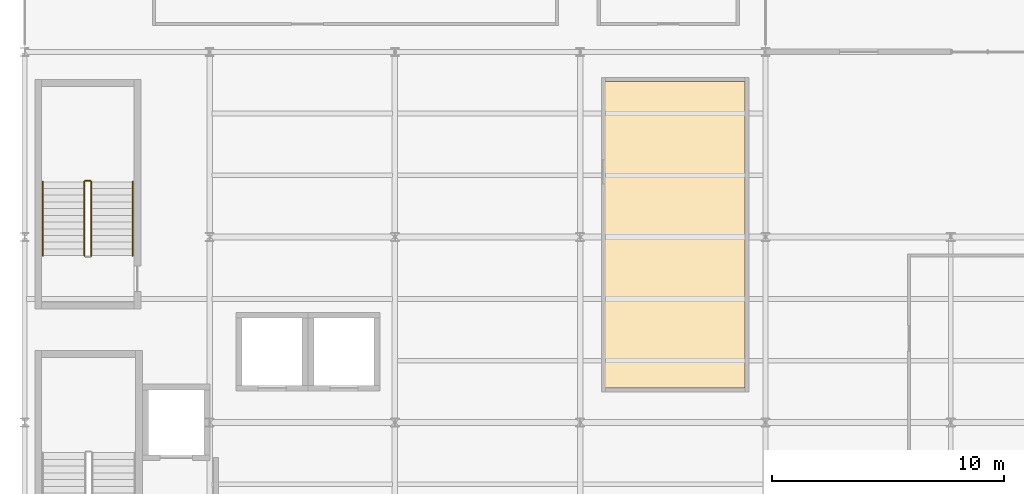
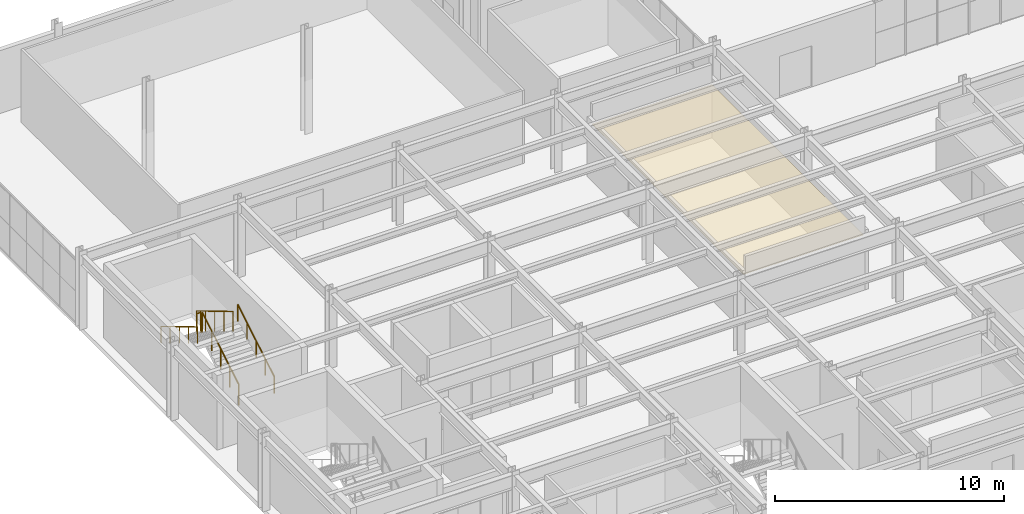
# One storey, part 65 of 67: 5 railings, 1 covering.
"""IFC4 building model written with IfcOpenShell, lengths in metres."""

from ifc_helpers import new_model, si_unit, direction, frame, origin, origin_2d, place, context, subcontext, project, spatial, polyline, circle, outline, extrude, material, layer, layer_set, type_object, element, save


model = new_model("IFC4")

# Units and contexts
model_context = context("Model", 3, precision=1e-05, world=origin(), true_north=direction((0.0, 1.0)))
body_context = subcontext(model_context, "Body", "Model", "MODEL_VIEW")
ifc_project = project(units=[si_unit("LENGTHUNIT", "METRE"), si_unit("AREAUNIT", "SQUARE_METRE"), si_unit("VOLUMEUNIT", "CUBIC_METRE"), si_unit("PLANEANGLEUNIT", "RADIAN"), si_unit("MASSUNIT", "GRAM", prefix="KILO")], contexts=[model_context])

# Site, building, storey
site_placement = place(None, origin())
site = spatial("IfcSite", under=ifc_project, at=site_placement, CompositionType="ELEMENT")
building_placement = place(site_placement, origin())
building = spatial("IfcBuilding", under=site, at=building_placement, Name="Drelvath Fold Interchange", CompositionType="ELEMENT")
storey_placement = place(building_placement, frame((0.0, 0.0, 15.60009765625)))
storey = spatial("IfcBuildingStorey", under=building, at=storey_placement, Name="L03", CompositionType="ELEMENT", Elevation=15.60009765625)

# Covering
ifc_material_1 = material(Name="Perforated Aluminium Acoustic Ceiling", Category="aluminium")
ifc_layer = layer(ifc_material_1, 0.01806640625, Name="Perforated Aluminium Acoustic Ceiling")
ifc_layer_set = layer_set([ifc_layer], Name="Perforated Aluminium Acoustic Ceiling")
covering_type = type_object("IfcCoveringType", Name="CV-CEIL-AL18", PredefinedType="CEILING", material=ifc_layer_set)
covering_placement = place(storey_placement, frame((0.0, 0.0, 2.829833984375)))
element("IfcCovering", 1, at=covering_placement, inside=storey, type_object=covering_type, Name="Inter-Agency Coordination Boardroom acoustic ceiling", PredefinedType="CEILING", context=body_context, shape_type="SweptSolid", body=[
    extrude(outline(polyline([(29.074951171875, 20.47509765625), (35.125, 20.47509765625), (35.125, 33.72509765625), (29.074951171875, 33.72509765625), (29.074951171875, 20.47509765625)])), origin(), (0.0, 0.0, 1.0), 0.02001953125),
])

# Railings
ifc_material_2 = material(Name="Stainless Steel 316L", Category="steel")
railing_type_1 = type_object("IfcRailingType", Name="RL-GRD1100", PredefinedType="GUARDRAIL", material=ifc_material_2)
railing_1_placement = place(storey_placement, frame((6.889892578125, 26.199951171875, 0.1748046875)))
element("IfcRailing", 2, at=railing_1_placement, inside=storey, type_object=railing_type_1, Name="L03 ST-02 stair guard 1", PredefinedType="GUARDRAIL", context=body_context, shape_type="SweptSolid", body=[
    extrude(circle(Radius=0.02392578125, at=origin_2d()), frame((0.0, 0.0, 1.076171875), z_axis=(0.0, 0.856177665481, 0.516681531633), x_axis=(-1.0, 0.0, 0.0)), (0.0, 0.0, 1.0), 3.725830078125),
    extrude(circle(Radius=0.02099609375, at=origin_2d()), origin(), (0.0, 0.0, 1.0), 1.052001953125),
    extrude(circle(Radius=0.02099609375, at=origin_2d()), frame((0.0, 0.79736328125, 0.481201171875)), (0.0, 0.0, 1.0), 1.052001953125),
    extrude(circle(Radius=0.02099609375, at=origin_2d()), frame((0.0, 1.594970703125, 0.96240234375)), (0.0, 0.0, 1.0), 1.052001953125),
    extrude(circle(Radius=0.02099609375, at=origin_2d()), frame((0.0, 2.392578125, 1.44384765625)), (0.0, 0.0, 1.0), 1.052001953125),
    extrude(circle(Radius=0.02099609375, at=origin_2d()), frame((0.0, 3.18994140625, 1.925048828125)), (0.0, 0.0, 1.0), 1.052001953125),
])
railing_2_placement = place(storey_placement, frame((6.840087890625, 29.43994140625, 2.099853515625)))
element("IfcRailing", 3, at=railing_2_placement, inside=storey, type_object=railing_type_1, Name="L03 ST-02 stair guard 2", PredefinedType="GUARDRAIL", context=body_context, shape_type="SweptSolid", body=[
    extrude(circle(Radius=0.02392578125, at=origin_2d()), frame((0.0, 0.0, 1.076171875), z_axis=(-1.0, 0.0, 0.0), x_axis=(0.0, -1.0, 0.0)), (0.0, 0.0, 1.0), 0.2001953125),
    extrude(circle(Radius=0.02099609375, at=origin_2d()), origin(), (0.0, 0.0, 1.0), 1.052001953125),
    extrude(circle(Radius=0.02099609375, at=origin_2d()), frame((-0.2001953125, 0.0, 0.0)), (0.0, 0.0, 1.0), 1.052001953125),
])
railing_3_placement = place(storey_placement, frame((6.590087890625, 29.389892578125, 2.27490234375)))
element("IfcRailing", 4, at=railing_3_placement, inside=storey, type_object=railing_type_1, Name="L03 ST-02 stair guard 3", PredefinedType="GUARDRAIL", context=body_context, shape_type="SweptSolid", body=[
    extrude(circle(Radius=0.02392578125, at=origin_2d()), frame((0.0, 0.0, 1.076171875), z_axis=(0.0, -0.856177665481, 0.516681531633), x_axis=(1.0, 0.0, 0.0)), (0.0, 0.0, 1.0), 3.725830078125),
    extrude(circle(Radius=0.02099609375, at=origin_2d()), origin(), (0.0, 0.0, 1.0), 1.052001953125),
    extrude(circle(Radius=0.02099609375, at=origin_2d()), frame((0.0, -0.79736328125, 0.481201171875)), (0.0, 0.0, 1.0), 1.052001953125),
    extrude(circle(Radius=0.02099609375, at=origin_2d()), frame((0.0, -1.594970703125, 0.96240234375)), (0.0, 0.0, 1.0), 1.052001953125),
    extrude(circle(Radius=0.02099609375, at=origin_2d()), frame((0.0, -2.392578125, 1.44384765625)), (0.0, 0.0, 1.0), 1.052001953125),
    extrude(circle(Radius=0.02099609375, at=origin_2d()), frame((0.0, -3.18994140625, 1.925048828125)), (0.0, 0.0, 1.0), 1.052001953125),
])
railing_type_2 = type_object("IfcRailingType", Name="RL-HND920", PredefinedType="HANDRAIL", material=ifc_material_2)
railing_4_placement = place(storey_placement, frame((8.679931640625, 26.199951171875, 0.1748046875)))
element("IfcRailing", 5, at=railing_4_placement, inside=storey, type_object=railing_type_2, Name="L03 ST-02 stair handrail 1", PredefinedType="HANDRAIL", context=body_context, shape_type="SweptSolid", body=[
    extrude(circle(Radius=0.02392578125, at=origin_2d()), frame((0.0, 0.0, 0.8759765625), z_axis=(0.0, 0.856177665481, 0.516681531633), x_axis=(-1.0, 0.0, 0.0)), (0.0, 0.0, 1.0), 3.725830078125),
    extrude(circle(Radius=0.02099609375, at=origin_2d()), origin(), (0.0, 0.0, 1.0), 0.851806640625),
    extrude(circle(Radius=0.02099609375, at=origin_2d()), frame((0.0, 0.79736328125, 0.481201171875)), (0.0, 0.0, 1.0), 0.851806640625),
    extrude(circle(Radius=0.02099609375, at=origin_2d()), frame((0.0, 1.594970703125, 0.96240234375)), (0.0, 0.0, 1.0), 0.851806640625),
    extrude(circle(Radius=0.02099609375, at=origin_2d()), frame((0.0, 2.392578125, 1.44384765625)), (0.0, 0.0, 1.0), 0.851806640625),
    extrude(circle(Radius=0.02099609375, at=origin_2d()), frame((0.0, 3.18994140625, 1.925048828125)), (0.0, 0.0, 1.0), 0.851806640625),
])
railing_5_placement = place(storey_placement, frame((4.800048828125, 29.389892578125, 2.27490234375)))
element("IfcRailing", 6, at=railing_5_placement, inside=storey, type_object=railing_type_2, Name="L03 ST-02 stair handrail 2", PredefinedType="HANDRAIL", context=body_context, shape_type="SweptSolid", body=[
    extrude(circle(Radius=0.02392578125, at=origin_2d()), frame((0.0, 0.0, 0.8759765625), z_axis=(0.0, -0.856177665481, 0.516681531633), x_axis=(1.0, 0.0, 0.0)), (0.0, 0.0, 1.0), 3.725830078125),
    extrude(circle(Radius=0.02099609375, at=origin_2d()), origin(), (0.0, 0.0, 1.0), 0.851806640625),
    extrude(circle(Radius=0.02099609375, at=origin_2d()), frame((0.0, -0.79736328125, 0.481201171875)), (0.0, 0.0, 1.0), 0.851806640625),
    extrude(circle(Radius=0.02099609375, at=origin_2d()), frame((0.0, -1.594970703125, 0.96240234375)), (0.0, 0.0, 1.0), 0.851806640625),
    extrude(circle(Radius=0.02099609375, at=origin_2d()), frame((0.0, -2.392578125, 1.44384765625)), (0.0, 0.0, 1.0), 0.851806640625),
    extrude(circle(Radius=0.02099609375, at=origin_2d()), frame((0.0, -3.18994140625, 1.925048828125)), (0.0, 0.0, 1.0), 0.851806640625),
])

save(model, "model.ifc")
